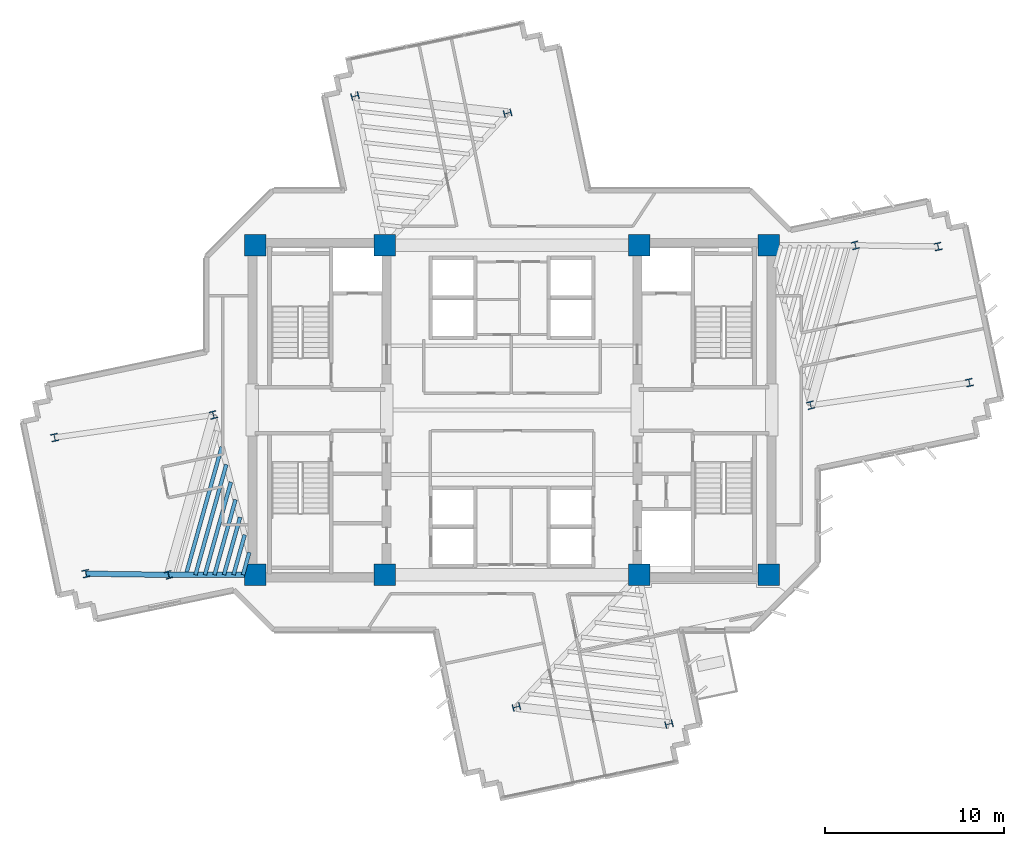
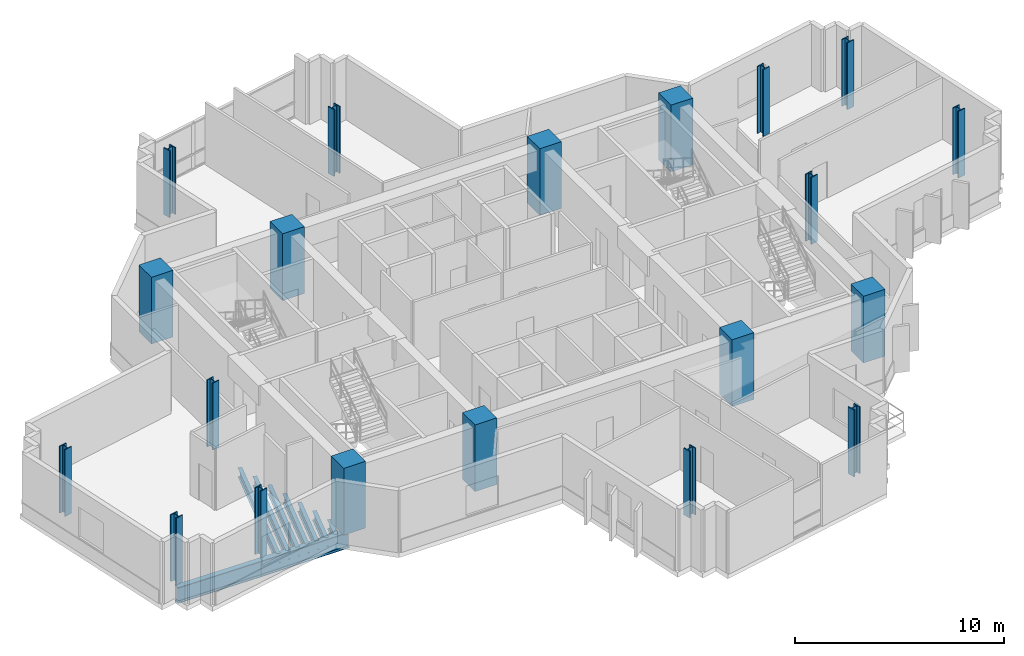
# One storey, part 1 of 14: 20 columns, 9 beams.
"""IFC4 building model written with IfcOpenShell, lengths in metres."""

from ifc_helpers import new_model, si_unit, direction, frame, origin, origin_2d, place, context, subcontext, project, spatial, rectangle, i_section, extrude, source, transform, mapped, material, material_profile, profile_set, type_object, element, save


model = new_model("IFC4")

# Units and contexts
model_context = context("Model", 3, precision=1e-05, world=origin(), true_north=direction((0.0, 1.0)))
body_context = subcontext(model_context, "Body", "Model", "MODEL_VIEW")
ifc_project = project(units=[si_unit("LENGTHUNIT", "METRE"), si_unit("AREAUNIT", "SQUARE_METRE"), si_unit("VOLUMEUNIT", "CUBIC_METRE"), si_unit("PLANEANGLEUNIT", "RADIAN"), si_unit("MASSUNIT", "GRAM", prefix="KILO")], contexts=[model_context])

# Site, building, storey
site_placement = place(None, origin())
site = spatial("IfcSite", under=ifc_project, at=site_placement, CompositionType="ELEMENT")
building_placement = place(site_placement, origin())
building = spatial("IfcBuilding", under=site, at=building_placement, Name="Zahravan Cultural Tower", CompositionType="ELEMENT")
storey_placement = place(building_placement, frame((0.0, 0.0, 162.89990234375)))
storey = spatial("IfcBuildingStorey", under=building, at=storey_placement, Name="L37", CompositionType="ELEMENT", Elevation=162.89990234375)

# Columns
ifc_material_1 = material(Name="Concrete C50/60", Category="concrete")
ifc_material_profile_1 = material_profile(ifc_material_1, rectangle(XDim=1.199951171875, YDim=1.199951171875, at=origin_2d()), Name="RC1200X1200")
ifc_profile_set_1 = profile_set([ifc_material_profile_1], Name="Concrete C50/60")
column_type_1 = type_object("IfcColumnType", Name="COL-RC1200", PredefinedType="COLUMN", material=ifc_profile_set_1)
shared_shape_1 = source(origin(), body_context, "Body", "SweptSolid", [
    extrude(rectangle(XDim=1.199951171875, YDim=1.199951171875, at=origin_2d()), origin(), (0.0, 0.0, 1.0), 3.900146484375),
])
for number, where, z_axis, x_axis, name in (
    (1, (21.64990234375, 17.800048828125, 0.0), (0.0, 0.0, 1.0), (1.0, 0.0, 0.0), "L37 Column CC-W1"),
    (2, (28.89990234375, 17.800048828125, 0.0), (0.0, 0.0, 1.0), (1.0, 0.0, 0.0), "L37 Column CC-W2"),
    (3, (21.64990234375, 36.199951171875, 0.0), (0.0, 0.0, 1.0), (1.0, 0.0, 0.0), "L37 Column CC-W3"),
    (4, (28.89990234375, 36.199951171875, 0.0), (0.0, 0.0, 1.0), (1.0, 0.0, 0.0), "L37 Column CC-W4"),
    (5, (43.10009765625, 17.800048828125, 0.0), (0.0, 0.0, 1.0), (1.0, 0.0, 0.0), "L37 Column CC-E1"),
    (6, (50.35009765625, 17.800048828125, 0.0), (0.0, 0.0, 1.0), (1.0, 0.0, 0.0), "L37 Column CC-E2"),
    (7, (43.10009765625, 36.199951171875, 0.0), (0.0, 0.0, 1.0), (1.0, 0.0, 0.0), "L37 Column CC-E3"),
    (8, (50.35009765625, 36.199951171875, 0.0), (0.0, 0.0, 1.0), (1.0, 0.0, 0.0), "L37 Column CC-E4"),
):
    element("IfcColumn", number, at=place(storey_placement, frame(where, z_axis=z_axis, x_axis=x_axis)), inside=storey, type_object=column_type_1, Name=name, PredefinedType="COLUMN", context=body_context, shape_type="MappedRepresentation", body=[
        mapped(shared_shape_1, transform((0.0, 0.0, 0.0), x_axis=(1.0, 0.0, 0.0), y_axis=(0.0, 1.0, 0.0), z_axis=(0.0, 0.0, 1.0), scale=1.0)),
    ])
ifc_material_2 = material(Name="Steel ASTM A992 Grade 50", Category="steel")
ifc_material_profile_2 = material_profile(ifc_material_2, i_section(OverallWidth=0.412109375, OverallDepth=0.43505859375, WebThickness=0.035888671875, FlangeThickness=0.057373046875, FilletRadius=0.01806640625, at=origin_2d()), Name="W14X311")
ifc_profile_set_2 = profile_set([ifc_material_profile_2], Name="Steel ASTM A992 Grade 50")
column_type_2 = type_object("IfcColumnType", Name="COL-W14X311", PredefinedType="COLUMN", material=ifc_profile_set_2)
shared_shape_2 = source(origin(), body_context, "Body", "SweptSolid", [
    extrude(i_section(OverallWidth=0.412109375, OverallDepth=0.43505859375, WebThickness=0.035888671875, FlangeThickness=0.057373046875, FilletRadius=0.01806640625, at=origin_2d()), origin(), (0.0, 0.0, 1.0), 3.900146484375),
])
for number, where, z_axis, x_axis, name in (
    (9, (52.684326171875, 27.27099609375, 0.0), (0.0, 0.0, 1.0), (0.966823388604, 0.255445757936, 0.0), "L37 Column Z2C-E1"),
    (10, (55.184814453125, 36.2060546875, 0.0), (0.0, 0.0, 1.0), (0.966823388604, 0.255445757936, 0.0), "L37 Column Z2C-E2"),
    (11, (35.754638671875, 43.587646484375, 0.0), (0.0, 0.0, 1.0), (-0.255445757936, 0.966823388604, 0.0), "L37 Column Z2C-N1"),
    (12, (27.22802734375, 44.541259765625, 0.0), (0.0, 0.0, 1.0), (-0.255445757936, 0.966823388604, 0.0), "L37 Column Z2C-N2"),
    (13, (19.315673828125, 26.72900390625, 0.0), (0.0, 0.0, 1.0), (0.966823388604, 0.255445757936, 0.0), "L37 Column Z2C-W1"),
    (14, (16.815185546875, 17.7939453125, 0.0), (0.0, 0.0, 1.0), (0.966823388604, 0.255445757936, 0.0), "L37 Column Z2C-W2"),
    (15, (36.245361328125, 10.412353515625, 0.0), (0.0, 0.0, 1.0), (-0.255445757936, 0.966823388604, 0.0), "L37 Column Z2C-S1"),
    (16, (44.77197265625, 9.458740234375, 0.0), (0.0, 0.0, 1.0), (-0.255445757936, 0.966823388604, 0.0), "L37 Column Z2C-S2"),
    (17, (61.552734375, 28.53466796875, 0.0), (0.0, 0.0, 1.0), (0.977415894286, 0.211324796455, 0.0), "L37 Column Z2T-E1"),
    (18, (59.806640625, 36.13720703125, 0.0), (0.0, 0.0, 1.0), (0.977415894286, 0.211324796455, 0.0), "L37 Column Z2T-E2"),
    (19, (10.447265625, 25.46533203125, 0.0), (0.0, 0.0, 1.0), (0.977415894286, 0.211324796455, 0.0), "L37 Column Z2T-W1"),
    (20, (12.193359375, 17.86279296875, 0.0), (0.0, 0.0, 1.0), (0.977415894286, 0.211324796455, 0.0), "L37 Column Z2T-W2"),
):
    element("IfcColumn", number, at=place(storey_placement, frame(where, z_axis=z_axis, x_axis=x_axis)), inside=storey, type_object=column_type_2, Name=name, PredefinedType="COLUMN", context=body_context, shape_type="MappedRepresentation", body=[
        mapped(shared_shape_2, transform((0.0, 0.0, 0.0), x_axis=(1.0, 0.0, 0.0), y_axis=(0.0, 1.0, 0.0), z_axis=(0.0, 0.0, 1.0), scale=1.0)),
    ])

# Beams
ifc_material_profile_3 = material_profile(ifc_material_2, i_section(OverallWidth=0.304931640625, OverallDepth=0.9189453125, WebThickness=0.017333984375, FlangeThickness=0.02783203125, FilletRadius=0.02392578125, at=origin_2d()), Name="W36X170")
ifc_profile_set_3 = profile_set([ifc_material_profile_3], Name="Steel ASTM A992 Grade 50")
beam_type_1 = type_object("IfcBeamType", Name="BM-G-W36X170", PredefinedType="BEAM", material=ifc_profile_set_3)
shared_shape_3 = source(origin(), body_context, "Body", "SweptSolid", [
    extrude(i_section(OverallWidth=0.304931640625, OverallDepth=0.9189453125, WebThickness=0.017333984375, FlangeThickness=0.02783203125, FilletRadius=0.02392578125, at=origin_2d()), origin(), (0.0, 0.0, 1.0), 4.834716796875),
])
beam_1_placement = place(storey_placement, frame((21.64990234375, 17.800048828125, -0.739501953125), z_axis=(-0.99999920313, -0.001262433979, 0.0), x_axis=(0.001262433979, -0.99999920313, 0.0)))
element("IfcBeam", 21, at=beam_1_placement, inside=storey, type_object=beam_type_1, Name="L37 Beam BG-L37-08", PredefinedType="BEAM", context=body_context, shape_type="MappedRepresentation", body=[
    mapped(shared_shape_3, transform((0.0, 0.0, 0.0), x_axis=(1.0, 0.0, 0.0), y_axis=(0.0, 1.0, 0.0), z_axis=(0.0, 0.0, 1.0), scale=1.0)),
])
shared_shape_4 = source(origin(), body_context, "Body", "SweptSolid", [
    extrude(i_section(OverallWidth=0.304931640625, OverallDepth=0.9189453125, WebThickness=0.017333984375, FlangeThickness=0.02783203125, FilletRadius=0.02392578125, at=origin_2d()), origin(), (0.0, 0.0, 1.0), 4.622314453125),
])
beam_2_placement = place(storey_placement, frame((16.815185546875, 17.7939453125, -0.739501953125), z_axis=(-0.999889070044, 0.014894549562, 0.0), x_axis=(-0.014894549562, -0.999889070044, 0.0)))
element("IfcBeam", 22, at=beam_2_placement, inside=storey, type_object=beam_type_1, Name="L37 Beam BG-L37-18", PredefinedType="BEAM", context=body_context, shape_type="MappedRepresentation", body=[
    mapped(shared_shape_4, transform((0.0, 0.0, 0.0), x_axis=(1.0, 0.0, 0.0), y_axis=(0.0, 1.0, 0.0), z_axis=(0.0, 0.0, 1.0), scale=1.0)),
])
ifc_material_profile_4 = material_profile(ifc_material_2, i_section(OverallWidth=0.2099609375, OverallDepth=0.532958984375, WebThickness=0.01025390625, FlangeThickness=0.015625, FilletRadius=0.013916015625, at=origin_2d()), Name="W21X62")
ifc_profile_set_4 = profile_set([ifc_material_profile_4], Name="Steel ASTM A992 Grade 50")
beam_type_2 = type_object("IfcBeamType", Name="BM-J-W21X62", PredefinedType="JOIST", material=ifc_profile_set_4)
shared_shape_5 = source(origin(), body_context, "Body", "SweptSolid", [
    extrude(i_section(OverallWidth=0.2099609375, OverallDepth=0.532958984375, WebThickness=0.01025390625, FlangeThickness=0.015625, FilletRadius=0.013916015625, at=origin_2d()), origin(), (0.0, 0.0, 1.0), 1.299072265625),
])
beam_3_placement = place(storey_placement, frame((21.3232421875, 19.050048828125, -0.54638671875), z_axis=(-0.269504444708, -0.962999145525, 0.0), x_axis=(0.962999145525, -0.269504444708, 0.0)))
element("IfcBeam", 23, at=beam_3_placement, inside=storey, type_object=beam_type_2, Name="L37 Beam BJ-L37-26", PredefinedType="JOIST", context=body_context, shape_type="MappedRepresentation", body=[
    mapped(shared_shape_5, transform((0.0, 0.0, 0.0), x_axis=(1.0, 0.0, 0.0), y_axis=(0.0, 1.0, 0.0), z_axis=(0.0, 0.0, 1.0), scale=1.0)),
])
shared_shape_6 = source(origin(), body_context, "Body", "SweptSolid", [
    extrude(i_section(OverallWidth=0.2099609375, OverallDepth=0.532958984375, WebThickness=0.01025390625, FlangeThickness=0.015625, FilletRadius=0.013916015625, at=origin_2d()), origin(), (0.0, 0.0, 1.0), 2.3193359375),
])
beam_4_placement = place(storey_placement, frame((21.06640625, 20.0322265625, -0.54638671875), z_axis=(-0.269462038626, -0.963011012263, 0.0), x_axis=(0.963011012263, -0.269462038626, 0.0)))
element("IfcBeam", 24, at=beam_4_placement, inside=storey, type_object=beam_type_2, Name="L37 Beam BJ-L37-27", PredefinedType="JOIST", context=body_context, shape_type="MappedRepresentation", body=[
    mapped(shared_shape_6, transform((0.0, 0.0, 0.0), x_axis=(1.0, 0.0, 0.0), y_axis=(0.0, 1.0, 0.0), z_axis=(0.0, 0.0, 1.0), scale=1.0)),
])
shared_shape_7 = source(origin(), body_context, "Body", "SweptSolid", [
    extrude(i_section(OverallWidth=0.2099609375, OverallDepth=0.532958984375, WebThickness=0.01025390625, FlangeThickness=0.015625, FilletRadius=0.013916015625, at=origin_2d()), origin(), (0.0, 0.0, 1.0), 3.340087890625),
])
beam_5_placement = place(storey_placement, frame((20.809814453125, 21.014404296875, -0.54638671875), z_axis=(-0.269562146951, -0.962982995141, 0.0), x_axis=(0.962982995141, -0.269562146951, 0.0)))
element("IfcBeam", 25, at=beam_5_placement, inside=storey, type_object=beam_type_2, Name="L37 Beam BJ-L37-28", PredefinedType="JOIST", context=body_context, shape_type="MappedRepresentation", body=[
    mapped(shared_shape_7, transform((0.0, 0.0, 0.0), x_axis=(1.0, 0.0, 0.0), y_axis=(0.0, 1.0, 0.0), z_axis=(0.0, 0.0, 1.0), scale=1.0)),
])
shared_shape_8 = source(origin(), body_context, "Body", "SweptSolid", [
    extrude(i_section(OverallWidth=0.2099609375, OverallDepth=0.532958984375, WebThickness=0.01025390625, FlangeThickness=0.015625, FilletRadius=0.013916015625, at=origin_2d()), origin(), (0.0, 0.0, 1.0), 4.36083984375),
])
beam_6_placement = place(storey_placement, frame((20.552978515625, 21.99658203125, -0.54638671875), z_axis=(-0.269511557673, -0.962997154866, 0.0), x_axis=(0.962997154866, -0.269511557673, 0.0)))
element("IfcBeam", 26, at=beam_6_placement, inside=storey, type_object=beam_type_2, Name="L37 Beam BJ-L37-29", PredefinedType="JOIST", context=body_context, shape_type="MappedRepresentation", body=[
    mapped(shared_shape_8, transform((0.0, 0.0, 0.0), x_axis=(1.0, 0.0, 0.0), y_axis=(0.0, 1.0, 0.0), z_axis=(0.0, 0.0, 1.0), scale=1.0)),
])
shared_shape_9 = source(origin(), body_context, "Body", "SweptSolid", [
    extrude(i_section(OverallWidth=0.2099609375, OverallDepth=0.532958984375, WebThickness=0.01025390625, FlangeThickness=0.015625, FilletRadius=0.013916015625, at=origin_2d()), origin(), (0.0, 0.0, 1.0), 5.3818359375),
])
beam_7_placement = place(storey_placement, frame((20.296142578125, 22.97900390625, -0.54638671875), z_axis=(-0.269510454638, -0.962997463569, 0.0), x_axis=(0.962997463569, -0.269510454638, 0.0)))
element("IfcBeam", 27, at=beam_7_placement, inside=storey, type_object=beam_type_2, Name="L37 Beam BJ-L37-30", PredefinedType="JOIST", context=body_context, shape_type="MappedRepresentation", body=[
    mapped(shared_shape_9, transform((0.0, 0.0, 0.0), x_axis=(1.0, 0.0, 0.0), y_axis=(0.0, 1.0, 0.0), z_axis=(0.0, 0.0, 1.0), scale=1.0)),
])
shared_shape_10 = source(origin(), body_context, "Body", "SweptSolid", [
    extrude(i_section(OverallWidth=0.2099609375, OverallDepth=0.532958984375, WebThickness=0.01025390625, FlangeThickness=0.015625, FilletRadius=0.013916015625, at=origin_2d()), origin(), (0.0, 0.0, 1.0), 6.402099609375),
])
beam_8_placement = place(storey_placement, frame((20.039306640625, 23.961181640625, -0.54638671875), z_axis=(-0.269494133533, -0.963002031146, 0.0), x_axis=(0.963002031146, -0.269494133533, 0.0)))
element("IfcBeam", 28, at=beam_8_placement, inside=storey, type_object=beam_type_2, Name="L37 Beam BJ-L37-31", PredefinedType="JOIST", context=body_context, shape_type="MappedRepresentation", body=[
    mapped(shared_shape_10, transform((0.0, 0.0, 0.0), x_axis=(1.0, 0.0, 0.0), y_axis=(0.0, 1.0, 0.0), z_axis=(0.0, 0.0, 1.0), scale=1.0)),
])
shared_shape_11 = source(origin(), body_context, "Body", "SweptSolid", [
    extrude(i_section(OverallWidth=0.2099609375, OverallDepth=0.532958984375, WebThickness=0.01025390625, FlangeThickness=0.015625, FilletRadius=0.013916015625, at=origin_2d()), origin(), (0.0, 0.0, 1.0), 7.4228515625),
])
beam_9_placement = place(storey_placement, frame((19.78271484375, 24.943359375, -0.54638671875), z_axis=(-0.269504266128, -0.962999195503, 0.0), x_axis=(0.962999195503, -0.269504266128, 0.0)))
element("IfcBeam", 29, at=beam_9_placement, inside=storey, type_object=beam_type_2, Name="L37 Beam BJ-L37-32", PredefinedType="JOIST", context=body_context, shape_type="MappedRepresentation", body=[
    mapped(shared_shape_11, transform((0.0, 0.0, 0.0), x_axis=(1.0, 0.0, 0.0), y_axis=(0.0, 1.0, 0.0), z_axis=(0.0, 0.0, 1.0), scale=1.0)),
])

save(model, "model.ifc")
